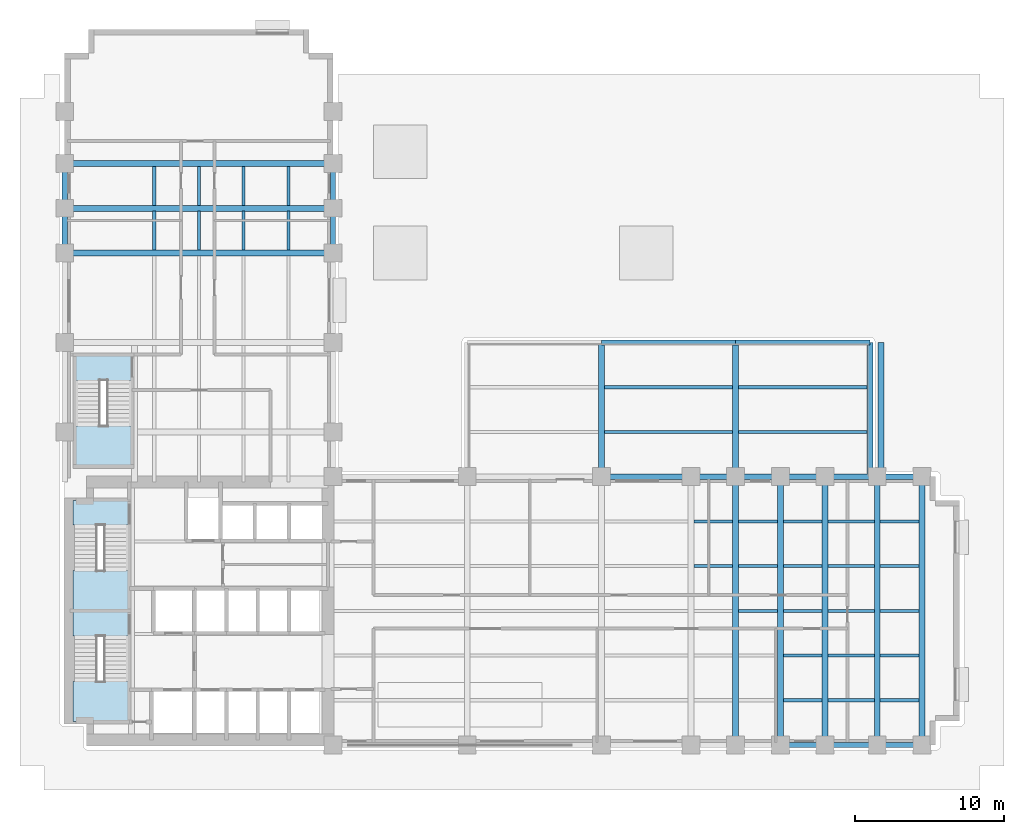
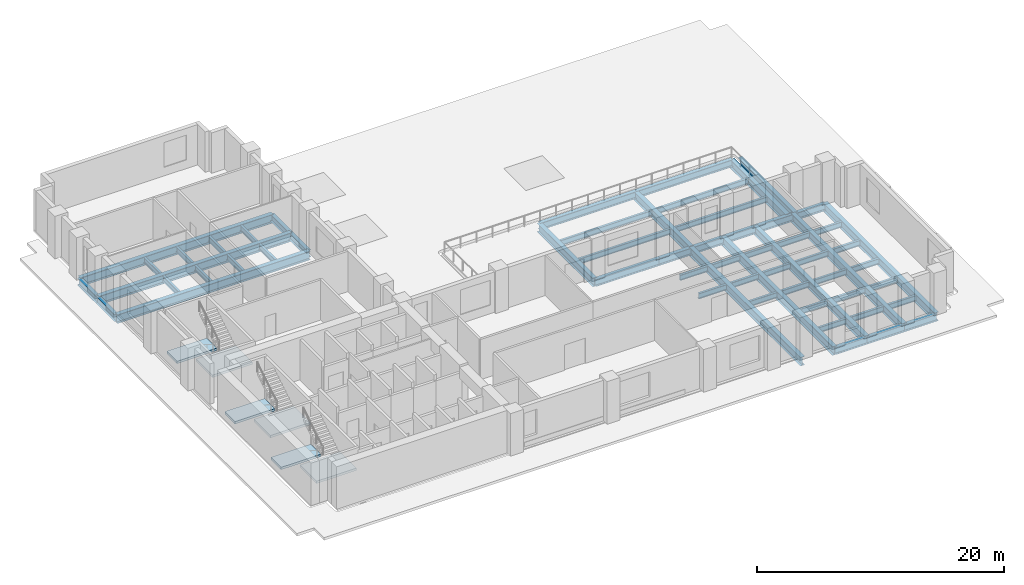
# One storey, part 2 of 9: 59 beams, 6 slabs, 3 elements without a shape of their own.
"""IFC4 building model written with IfcOpenShell, lengths in metres."""

import ifcopenshell
import ifcopenshell.guid

model = None  # the IFC model being written
_history = None  # IfcOwnerHistory: only IFC2X3 demands one
_inside = {}  # id of a spatial element -> (the spatial element, [elements in it])
_under = {}  # id of a project, library or spatial element -> (it, [spatial elements below it])
_declared = {}  # id of a project -> (the project, [libraries it declares])
_typed = {}  # id of a type object -> (the type object, [elements of that type])
_made_of = {}  # id of a material, layer set ... -> (it, [elements and type objects made of it])


def new_model(schema):
    """Start an empty IFC model of exactly this schema.

    Asked for "IFC4X3", IfcOpenShell would pick the latest addendum, in which some entities
    have other attributes; the version numbers below select the first issue.
    IFC2X3 requires an IfcOwnerHistory on every rooted entity: one is made here for all.
    """
    global model, _history
    if schema == "IFC4X3":
        model = ifcopenshell.file(schema_version=(4, 3, 0, 0))
    else:
        model = ifcopenshell.file(schema=schema)
    _inside.clear()
    _under.clear()
    _declared.clear()
    _typed.clear()
    _made_of.clear()
    _history = None
    if model.schema == "IFC2X3":
        org = make("IfcOrganization", Name="unknown")
        user = make(
            "IfcPersonAndOrganization",
            ThePerson=make("IfcPerson", FamilyName="unknown"),
            TheOrganization=org,
        )
        app = make(
            "IfcApplication",
            ApplicationDeveloper=org,
            Version="unknown",
            ApplicationFullName="unknown",
            ApplicationIdentifier="unknown",
        )
        _history = make(
            "IfcOwnerHistory",
            OwningUser=user,
            OwningApplication=app,
            ChangeAction="ADDED",
            CreationDate=0,
        )
    return model


def make(cls, **values):
    """One entity of the class cls with the attributes given. An attribute that is None is left unset."""
    return model.create_entity(
        cls, **{name: value for name, value in values.items() if value is not None}
    )


def rooted(cls, **values):
    """An entity with a GlobalId (a new one), such as an element, a storey or a relation."""
    return make(cls, GlobalId=ifcopenshell.guid.new(), OwnerHistory=_history, **values)


def si_unit(unit_type, name, prefix=None):
    """IfcSIUnit, for example si_unit("LENGTHUNIT", "METRE", prefix="MILLI")."""
    return make("IfcSIUnit", UnitType=unit_type, Prefix=prefix, Name=name)


def assignment(units):
    """IfcUnitAssignment: the units of a project."""
    return None if units is None else make("IfcUnitAssignment", Units=units)


def point(xyz):
    """IfcCartesianPoint."""
    return None if xyz is None else make("IfcCartesianPoint", Coordinates=xyz)


def direction(xyz):
    """IfcDirection."""
    return None if xyz is None else make("IfcDirection", DirectionRatios=xyz)


def frame(location, z_axis=None, x_axis=None):
    """IfcAxis2Placement3D, a coordinate frame: its origin and axes. An axis left out is left unset."""
    return make(
        "IfcAxis2Placement3D",
        Location=point(location),
        Axis=direction(z_axis),
        RefDirection=direction(x_axis),
    )


def frame_2d(location, x_axis=None):
    """IfcAxis2Placement2D, a coordinate frame in the plane: its origin and x axis."""
    return make(
        "IfcAxis2Placement2D", Location=point(location), RefDirection=direction(x_axis)
    )


def origin():
    """The frame at (0, 0, 0) with its axes left unset."""
    return frame((0.0, 0.0, 0.0))


def origin_2d():
    """The frame at (0, 0) in the plane with its x axis left unset."""
    return frame_2d((0.0, 0.0))


def place(relative_to, where):
    """IfcLocalPlacement: puts the frame where relative to a parent placement (None: the world)."""
    return make(
        "IfcLocalPlacement", PlacementRelTo=relative_to, RelativePlacement=where
    )


def context(
    kind, dimensions, precision=None, world=None, true_north=None, identifier=None
):
    """IfcGeometricRepresentationContext, for example the 3D "Model" context."""
    return make(
        "IfcGeometricRepresentationContext",
        ContextIdentifier=identifier,
        ContextType=kind,
        CoordinateSpaceDimension=dimensions,
        Precision=precision,
        WorldCoordinateSystem=world,
        TrueNorth=true_north,
    )


def subcontext(parent, identifier, kind, view, scale=None):
    """IfcGeometricRepresentationSubContext, for example "Body" below "Model"."""
    return make(
        "IfcGeometricRepresentationSubContext",
        ContextIdentifier=identifier,
        ContextType=kind,
        ParentContext=parent,
        TargetScale=scale,
        TargetView=view,
    )


def project(units=None, contexts=None):
    """IfcProject with its units and contexts."""
    return rooted(
        "IfcProject",
        Name="project",
        RepresentationContexts=contexts,
        UnitsInContext=assignment(units),
    )


def spatial(cls, under=None, at=None, **own):
    """A site, building, storey or space (cls), placed at a placement, below another one or the project."""
    s = rooted(cls, ObjectPlacement=at, **own)
    if under is not None:
        _under.setdefault(under.id(), (under, []))[1].append(s)
    return s


def polyline(points):
    """IfcPolyline through the points."""
    return make("IfcPolyline", Points=[point(p) for p in points])


def profile(cls, at=None, kind="AREA", **sizes):
    """A parametric profile (cls). Its sizes go by their IFC names, for example OverallWidth=200.0."""
    return make(cls, ProfileType=kind, Position=at, **sizes)


def i_section(**sizes):
    """IfcIShapeProfileDef."""
    return profile("IfcIShapeProfileDef", **sizes)


def outline(outer, holes=None, kind="AREA"):
    """IfcArbitraryClosedProfileDef: a profile drawn as a closed curve; with holes, ...WithVoids."""
    if holes is None:
        return make("IfcArbitraryClosedProfileDef", ProfileType=kind, OuterCurve=outer)
    return make(
        "IfcArbitraryProfileDefWithVoids",
        ProfileType=kind,
        OuterCurve=outer,
        InnerCurves=holes,
    )


def extrude(swept, where, along, depth):
    """IfcExtrudedAreaSolid: the profile swept, set in the frame where, extruded along a direction by depth."""
    return make(
        "IfcExtrudedAreaSolid",
        SweptArea=swept,
        Position=where,
        ExtrudedDirection=direction(along),
        Depth=depth,
    )


def shape(context_of_items, identifier, shape_type, items):
    """IfcShapeRepresentation: the items that make up one representation, for example the "Body"."""
    return make(
        "IfcShapeRepresentation",
        ContextOfItems=context_of_items,
        RepresentationIdentifier=identifier,
        RepresentationType=shape_type,
        Items=items,
    )


def material(Name=None, Category=None):
    """IfcMaterial."""
    return make("IfcMaterial", Name=Name, Category=Category)


def layer(
    of_material, thickness, ventilated=None, Name=None, Category=None, Priority=None
):
    """IfcMaterialLayer: one layer of a wall or slab, of a material (None: an air gap)."""
    return make(
        "IfcMaterialLayer",
        Material=of_material,
        LayerThickness=thickness,
        IsVentilated=ventilated,
        Name=Name,
        Category=Category,
        Priority=Priority,
    )


def layer_set(layers, Name=None):
    """IfcMaterialLayerSet."""
    return make("IfcMaterialLayerSet", MaterialLayers=layers, LayerSetName=Name)


def material_profile(
    of_material, cross_section, Name=None, Category=None, Priority=None
):
    """IfcMaterialProfile: a cross section and its material."""
    return make(
        "IfcMaterialProfile",
        Name=Name,
        Material=of_material,
        Profile=cross_section,
        Priority=Priority,
        Category=Category,
    )


def profile_set(profiles, Name=None, composite=None):
    """IfcMaterialProfileSet."""
    return make(
        "IfcMaterialProfileSet",
        Name=Name,
        MaterialProfiles=profiles,
        CompositeProfile=composite,
    )


def made_of(thing, what):
    """Note that an element or type object is made of a material, layer set ...; save() writes the relation."""
    if what is not None:
        _made_of.setdefault(what.id(), (what, []))[1].append(thing)
    return thing


def type_object(cls, material=None, **own):
    """A type object (cls), such as IfcWallType, which elements share."""
    return made_of(rooted(cls, **own), material)


def element(
    cls,
    number,
    at=None,
    inside=None,
    cuts=None,
    type_object=None,
    material=None,
    context=None,
    identifier="Body",
    shape_type=None,
    held_by="IfcProductDefinitionShape",
    body=None,
    shapes=None,
    **own,
):
    """One element of the class cls, such as IfcWall. Its Tag is "e" and its number.

    at: its placement. inside: the storey or other place that contains it. cuts: it is an
    opening in that element (IfcRelVoidsElement). A single representation is given by context,
    identifier, shape_type and body (its items); several are given by shapes. held_by: the class
    of the entity that holds the representations. save() writes the other relations.
    """
    e = rooted(cls, Tag="e%d" % number, ObjectPlacement=at, **own)
    if body is not None:
        shapes = [shape(context, identifier, shape_type, body)]
    if shapes is not None:
        e.Representation = make(held_by, Representations=shapes)
    if inside is not None:
        _inside.setdefault(inside.id(), (inside, []))[1].append(e)
    if cuts is not None:
        rooted(
            "IfcRelVoidsElement", RelatingBuildingElement=cuts, RelatedOpeningElement=e
        )
    if type_object is not None:
        _typed.setdefault(type_object.id(), (type_object, []))[1].append(e)
    return made_of(e, material)


def aggregate(whole, parts):
    """IfcRelAggregates: a whole, such as a stair, and the parts it consists of."""
    return rooted("IfcRelAggregates", RelatingObject=whole, RelatedObjects=parts)


def save(model, path):
    """Write the relations noted so far, then the file.

    IfcRelAggregates (storeys below a building ...), IfcRelContainedInSpatialStructure (elements
    in a storey), IfcRelDefinesByType, IfcRelAssociatesMaterial and IfcRelDeclares: one each for
    every whole, place, type object, material and project.
    """
    for whole, parts in _under.values():
        aggregate(whole, parts)
    for where, things in _inside.values():
        rooted(
            "IfcRelContainedInSpatialStructure",
            RelatedElements=things,
            RelatingStructure=where,
        )
    for kind, things in _typed.values():
        rooted("IfcRelDefinesByType", RelatedObjects=things, RelatingType=kind)
    for what, things in _made_of.values():
        rooted("IfcRelAssociatesMaterial", RelatedObjects=things, RelatingMaterial=what)
    for by, libraries in _declared.values():
        rooted("IfcRelDeclares", RelatingContext=by, RelatedDefinitions=libraries)
    model.write(path)


model = new_model("IFC4")

# Units and contexts
model_context = context("Model", 3, precision=1e-05, world=origin(), true_north=direction((0.0, 1.0)))
body_context = subcontext(model_context, "Body", "Model", "MODEL_VIEW")
ifc_project = project(units=[si_unit("LENGTHUNIT", "METRE"), si_unit("AREAUNIT", "SQUARE_METRE"), si_unit("VOLUMEUNIT", "CUBIC_METRE"), si_unit("PLANEANGLEUNIT", "RADIAN"), si_unit("MASSUNIT", "GRAM", prefix="KILO")], contexts=[model_context])

# Site, building, storey
site_placement = place(None, origin())
site = spatial("IfcSite", under=ifc_project, at=site_placement, CompositionType="ELEMENT")
building_placement = place(site_placement, origin())
building = spatial("IfcBuilding", under=site, at=building_placement, Name="Mawjdan Bourse Tower", CompositionType="ELEMENT")
storey_placement = place(building_placement, frame((0.0, 0.0, 21.60009765625)))
storey = spatial("IfcBuildingStorey", under=building, at=storey_placement, Name="L04", CompositionType="ELEMENT", Elevation=21.60009765625)

# Beams
ifc_material_1 = material(Name="Structural Steel S355", Category="steel")
ifc_material_profile_1 = material_profile(ifc_material_1, i_section(OverallWidth=0.39892578125, OverallDepth=0.85595703125, WebThickness=0.018310546875, FlangeThickness=0.029296875, FilletRadius=0.0234375, at=origin_2d()), Name="W33X201")
ifc_profile_set_1 = profile_set([ifc_material_profile_1], Name="Structural Steel S355")
beam_type_1 = type_object("IfcBeamType", Name="GRD-W33X201", PredefinedType="BEAM", material=ifc_profile_set_1)
for number, where, z_axis, x_axis, name in (
    (1, (51.0, 3.0, -0.648193359375), (0.0, 1.0, 0.0), (-1.0, 0.0, 0.0), "L04 East Wing Clear-Span Girder 005"),
    (2, (54.0, 3.0, -0.648193359375), (0.0, 1.0, 0.0), (-1.0, 0.0, 0.0), "L04 East Wing Clear-Span Girder 006"),
    (3, (57.0, 3.0, -0.648193359375), (0.0, 1.0, 0.0), (-1.0, 0.0, 0.0), "L04 East Wing Clear-Span Girder 007"),
    (4, (60.5, 3.0, -0.648193359375), (0.0, 1.0, 0.0), (-1.0, 0.0, 0.0), "L04 East Wing Clear-Span Girder 008"),
    (5, (63.5, 3.0, -0.648193359375), (0.0, 1.0, 0.0), (-1.0, 0.0, 0.0), "L04 East Wing Clear-Span Girder 009"),
    (6, (6.0, 36.0, -0.648193359375), (1.0, 0.0, 0.0), (0.0, 1.0, 0.0), "L04 North Wing Clear-Span Girder 073"),
    (7, (6.0, 39.0, -0.648193359375), (1.0, 0.0, 0.0), (0.0, 1.0, 0.0), "L04 North Wing Clear-Span Girder 074"),
    (8, (6.0, 42.0, -0.648193359375), (1.0, 0.0, 0.0), (0.0, 1.0, 0.0), "L04 North Wing Clear-Span Girder 075"),
):
    element("IfcBeam", number, at=place(storey_placement, frame(where, z_axis=z_axis, x_axis=x_axis)), inside=storey, type_object=beam_type_1, Name=name, PredefinedType="BEAM", context=body_context, shape_type="SweptSolid", body=[
        extrude(i_section(OverallWidth=0.39892578125, OverallDepth=0.85595703125, WebThickness=0.018310546875, FlangeThickness=0.029296875, FilletRadius=0.0234375, at=origin_2d()), origin(), (0.0, 0.0, 1.0), 18.0),
    ])
for number, where, z_axis, x_axis, name in (
    (9, (42.0, 21.0, -0.59814453125), (0.0, 1.0, 0.0), (-1.0, 0.0, 0.0), "L04 L04 Terrace Transverse Girder 110"),
    (10, (51.0, 21.0, -0.59814453125), (0.0, 1.0, 0.0), (-1.0, 0.0, 0.0), "L04 L04 Terrace Transverse Girder 111"),
    (11, (60.0, 21.0, -0.59814453125), (0.0, 1.0, 0.0), (-1.0, 0.0, 0.0), "L04 L04 Terrace Transverse Girder 112"),
    (12, (60.75, 21.0, -0.68798828125), (0.0, 1.0, 0.0), (-1.0, 0.0, 0.0), "L04 L04 Setback Roof Girder 113"),
):
    element("IfcBeam", number, at=place(storey_placement, frame(where, z_axis=z_axis, x_axis=x_axis)), inside=storey, type_object=beam_type_1, Name=name, PredefinedType="BEAM", context=body_context, shape_type="SweptSolid", body=[
        extrude(i_section(OverallWidth=0.39892578125, OverallDepth=0.85595703125, WebThickness=0.018310546875, FlangeThickness=0.029296875, FilletRadius=0.0234375, at=origin_2d()), origin(), (0.0, 0.0, 1.0), 9.0),
    ])
ifc_material_profile_2 = material_profile(ifc_material_1, i_section(OverallWidth=0.2119140625, OverallDepth=0.5439453125, WebThickness=0.01318359375, FlangeThickness=0.021240234375, FilletRadius=0.01708984375, at=origin_2d()), Name="W21X83")
ifc_profile_set_2 = profile_set([ifc_material_profile_2], Name="Structural Steel S355")
beam_type_2 = type_object("IfcBeamType", Name="JST-W21X83", PredefinedType="JOIST", material=ifc_profile_set_2)
beam_1_placement = place(storey_placement, frame((54.197509765625, 6.0, -0.4921875), z_axis=(1.0, 0.0, 0.0), x_axis=(0.0, 1.0, 0.0)))
element("IfcBeam", 13, at=beam_1_placement, inside=storey, type_object=beam_type_2, Name="L04 East Wing Composite Joist 031", PredefinedType="JOIST", context=body_context, shape_type="SweptSolid", body=[
    extrude(i_section(OverallWidth=0.2119140625, OverallDepth=0.5439453125, WebThickness=0.01318359375, FlangeThickness=0.021240234375, FilletRadius=0.01708984375, at=origin_2d()), origin(), (0.0, 0.0, 1.0), 2.60498046875),
])
beam_2_placement = place(storey_placement, frame((57.197509765625, 6.0, -0.4921875), z_axis=(1.0, 0.0, 0.0), x_axis=(0.0, 1.0, 0.0)))
element("IfcBeam", 14, at=beam_2_placement, inside=storey, type_object=beam_type_2, Name="L04 East Wing Composite Joist 032", PredefinedType="JOIST", context=body_context, shape_type="SweptSolid", body=[
    extrude(i_section(OverallWidth=0.2119140625, OverallDepth=0.5439453125, WebThickness=0.01318359375, FlangeThickness=0.021240234375, FilletRadius=0.01708984375, at=origin_2d()), origin(), (0.0, 0.0, 1.0), 3.10498046875),
])
for number, where, z_axis, x_axis, name in (
    (15, (60.697509765625, 6.0, -0.4921875), (1.0, 0.0, 0.0), (0.0, 1.0, 0.0), "L04 East Wing Composite Joist 033"),
    (16, (54.197509765625, 9.0, -0.4921875), (1.0, 0.0, 0.0), (0.0, 1.0, 0.0), "L04 East Wing Composite Joist 039"),
):
    element("IfcBeam", number, at=place(storey_placement, frame(where, z_axis=z_axis, x_axis=x_axis)), inside=storey, type_object=beam_type_2, Name=name, PredefinedType="JOIST", context=body_context, shape_type="SweptSolid", body=[
        extrude(i_section(OverallWidth=0.2119140625, OverallDepth=0.5439453125, WebThickness=0.01318359375, FlangeThickness=0.021240234375, FilletRadius=0.01708984375, at=origin_2d()), origin(), (0.0, 0.0, 1.0), 2.60498046875),
    ])
beam_3_placement = place(storey_placement, frame((57.197509765625, 9.0, -0.4921875), z_axis=(1.0, 0.0, 0.0), x_axis=(0.0, 1.0, 0.0)))
element("IfcBeam", 17, at=beam_3_placement, inside=storey, type_object=beam_type_2, Name="L04 East Wing Composite Joist 040", PredefinedType="JOIST", context=body_context, shape_type="SweptSolid", body=[
    extrude(i_section(OverallWidth=0.2119140625, OverallDepth=0.5439453125, WebThickness=0.01318359375, FlangeThickness=0.021240234375, FilletRadius=0.01708984375, at=origin_2d()), origin(), (0.0, 0.0, 1.0), 3.10498046875),
])
for number, where, z_axis, x_axis, name in (
    (18, (60.697509765625, 9.0, -0.4921875), (1.0, 0.0, 0.0), (0.0, 1.0, 0.0), "L04 East Wing Composite Joist 041"),
    (19, (51.197509765625, 12.0, -0.4921875), (1.0, 0.0, 0.0), (0.0, 1.0, 0.0), "L04 East Wing Composite Joist 046"),
    (20, (54.197509765625, 12.0, -0.4921875), (1.0, 0.0, 0.0), (0.0, 1.0, 0.0), "L04 East Wing Composite Joist 047"),
):
    element("IfcBeam", number, at=place(storey_placement, frame(where, z_axis=z_axis, x_axis=x_axis)), inside=storey, type_object=beam_type_2, Name=name, PredefinedType="JOIST", context=body_context, shape_type="SweptSolid", body=[
        extrude(i_section(OverallWidth=0.2119140625, OverallDepth=0.5439453125, WebThickness=0.01318359375, FlangeThickness=0.021240234375, FilletRadius=0.01708984375, at=origin_2d()), origin(), (0.0, 0.0, 1.0), 2.60498046875),
    ])
beam_4_placement = place(storey_placement, frame((57.197509765625, 12.0, -0.4921875), z_axis=(1.0, 0.0, 0.0), x_axis=(0.0, 1.0, 0.0)))
element("IfcBeam", 21, at=beam_4_placement, inside=storey, type_object=beam_type_2, Name="L04 East Wing Composite Joist 048", PredefinedType="JOIST", context=body_context, shape_type="SweptSolid", body=[
    extrude(i_section(OverallWidth=0.2119140625, OverallDepth=0.5439453125, WebThickness=0.01318359375, FlangeThickness=0.021240234375, FilletRadius=0.01708984375, at=origin_2d()), origin(), (0.0, 0.0, 1.0), 3.10498046875),
])
for number, where, z_axis, x_axis, name in (
    (22, (60.697509765625, 12.0, -0.4921875), (1.0, 0.0, 0.0), (0.0, 1.0, 0.0), "L04 East Wing Composite Joist 049"),
    (23, (48.197509765625, 15.0, -0.4921875), (1.0, 0.0, 0.0), (0.0, 1.0, 0.0), "L04 East Wing Composite Joist 053"),
    (24, (51.197509765625, 15.0, -0.4921875), (1.0, 0.0, 0.0), (0.0, 1.0, 0.0), "L04 East Wing Composite Joist 054"),
    (25, (54.197509765625, 15.0, -0.4921875), (1.0, 0.0, 0.0), (0.0, 1.0, 0.0), "L04 East Wing Composite Joist 055"),
):
    element("IfcBeam", number, at=place(storey_placement, frame(where, z_axis=z_axis, x_axis=x_axis)), inside=storey, type_object=beam_type_2, Name=name, PredefinedType="JOIST", context=body_context, shape_type="SweptSolid", body=[
        extrude(i_section(OverallWidth=0.2119140625, OverallDepth=0.5439453125, WebThickness=0.01318359375, FlangeThickness=0.021240234375, FilletRadius=0.01708984375, at=origin_2d()), origin(), (0.0, 0.0, 1.0), 2.60498046875),
    ])
beam_5_placement = place(storey_placement, frame((57.197509765625, 15.0, -0.4921875), z_axis=(1.0, 0.0, 0.0), x_axis=(0.0, 1.0, 0.0)))
element("IfcBeam", 26, at=beam_5_placement, inside=storey, type_object=beam_type_2, Name="L04 East Wing Composite Joist 056", PredefinedType="JOIST", context=body_context, shape_type="SweptSolid", body=[
    extrude(i_section(OverallWidth=0.2119140625, OverallDepth=0.5439453125, WebThickness=0.01318359375, FlangeThickness=0.021240234375, FilletRadius=0.01708984375, at=origin_2d()), origin(), (0.0, 0.0, 1.0), 3.10498046875),
])
for number, where, z_axis, x_axis, name in (
    (27, (60.697509765625, 15.0, -0.4921875), (1.0, 0.0, 0.0), (0.0, 1.0, 0.0), "L04 East Wing Composite Joist 057"),
    (28, (48.197509765625, 18.0, -0.4921875), (1.0, 0.0, 0.0), (0.0, 1.0, 0.0), "L04 East Wing Composite Joist 061"),
    (29, (51.197509765625, 18.0, -0.4921875), (1.0, 0.0, 0.0), (0.0, 1.0, 0.0), "L04 East Wing Composite Joist 062"),
    (30, (54.197509765625, 18.0, -0.4921875), (1.0, 0.0, 0.0), (0.0, 1.0, 0.0), "L04 East Wing Composite Joist 063"),
):
    element("IfcBeam", number, at=place(storey_placement, frame(where, z_axis=z_axis, x_axis=x_axis)), inside=storey, type_object=beam_type_2, Name=name, PredefinedType="JOIST", context=body_context, shape_type="SweptSolid", body=[
        extrude(i_section(OverallWidth=0.2119140625, OverallDepth=0.5439453125, WebThickness=0.01318359375, FlangeThickness=0.021240234375, FilletRadius=0.01708984375, at=origin_2d()), origin(), (0.0, 0.0, 1.0), 2.60498046875),
    ])
beam_6_placement = place(storey_placement, frame((57.197509765625, 18.0, -0.4921875), z_axis=(1.0, 0.0, 0.0), x_axis=(0.0, 1.0, 0.0)))
element("IfcBeam", 31, at=beam_6_placement, inside=storey, type_object=beam_type_2, Name="L04 East Wing Composite Joist 064", PredefinedType="JOIST", context=body_context, shape_type="SweptSolid", body=[
    extrude(i_section(OverallWidth=0.2119140625, OverallDepth=0.5439453125, WebThickness=0.01318359375, FlangeThickness=0.021240234375, FilletRadius=0.01708984375, at=origin_2d()), origin(), (0.0, 0.0, 1.0), 3.10498046875),
])
for number, where, z_axis, x_axis, name in (
    (32, (60.697509765625, 18.0, -0.4921875), (1.0, 0.0, 0.0), (0.0, 1.0, 0.0), "L04 East Wing Composite Joist 065"),
    (33, (12.0, 36.197509765625, -0.4921875), (0.0, 1.0, 0.0), (-1.0, 0.0, 0.0), "L04 North Wing Composite Joist 089"),
    (34, (12.0, 39.197509765625, -0.4921875), (0.0, 1.0, 0.0), (-1.0, 0.0, 0.0), "L04 North Wing Composite Joist 090"),
    (35, (15.0, 36.197509765625, -0.4921875), (0.0, 1.0, 0.0), (-1.0, 0.0, 0.0), "L04 North Wing Composite Joist 094"),
    (36, (15.0, 39.197509765625, -0.4921875), (0.0, 1.0, 0.0), (-1.0, 0.0, 0.0), "L04 North Wing Composite Joist 095"),
    (37, (18.0, 36.197509765625, -0.4921875), (0.0, 1.0, 0.0), (-1.0, 0.0, 0.0), "L04 North Wing Composite Joist 099"),
    (38, (18.0, 39.197509765625, -0.4921875), (0.0, 1.0, 0.0), (-1.0, 0.0, 0.0), "L04 North Wing Composite Joist 100"),
    (39, (21.0, 36.197509765625, -0.4921875), (0.0, 1.0, 0.0), (-1.0, 0.0, 0.0), "L04 North Wing Composite Joist 104"),
    (40, (21.0, 39.197509765625, -0.4921875), (0.0, 1.0, 0.0), (-1.0, 0.0, 0.0), "L04 North Wing Composite Joist 105"),
):
    element("IfcBeam", number, at=place(storey_placement, frame(where, z_axis=z_axis, x_axis=x_axis)), inside=storey, type_object=beam_type_2, Name=name, PredefinedType="JOIST", context=body_context, shape_type="SweptSolid", body=[
        extrude(i_section(OverallWidth=0.2119140625, OverallDepth=0.5439453125, WebThickness=0.01318359375, FlangeThickness=0.021240234375, FilletRadius=0.01708984375, at=origin_2d()), origin(), (0.0, 0.0, 1.0), 2.60498046875),
    ])
for number, where, z_axis, x_axis, name in (
    (41, (42.197509765625, 24.0, -0.442138671875), (1.0, 0.0, 0.0), (0.0, 1.0, 0.0), "L04 L04 Terrace Deck Joist 115"),
    (42, (51.197509765625, 24.0, -0.442138671875), (1.0, 0.0, 0.0), (0.0, 1.0, 0.0), "L04 L04 Terrace Deck Joist 116"),
    (43, (42.197509765625, 27.0, -0.442138671875), (1.0, 0.0, 0.0), (0.0, 1.0, 0.0), "L04 L04 Terrace Deck Joist 118"),
    (44, (51.197509765625, 27.0, -0.442138671875), (1.0, 0.0, 0.0), (0.0, 1.0, 0.0), "L04 L04 Terrace Deck Joist 119"),
):
    element("IfcBeam", number, at=place(storey_placement, frame(where, z_axis=z_axis, x_axis=x_axis)), inside=storey, type_object=beam_type_2, Name=name, PredefinedType="JOIST", context=body_context, shape_type="SweptSolid", body=[
        extrude(i_section(OverallWidth=0.2119140625, OverallDepth=0.5439453125, WebThickness=0.01318359375, FlangeThickness=0.021240234375, FilletRadius=0.01708984375, at=origin_2d()), origin(), (0.0, 0.0, 1.0), 8.60498046875),
    ])
ifc_material_profile_3 = material_profile(ifc_material_1, i_section(OverallWidth=0.35498046875, OverallDepth=0.696044921875, WebThickness=0.015380859375, FlangeThickness=0.02490234375, FilletRadius=0.019775390625, at=origin_2d()), Name="W27X146")
ifc_profile_set_3 = profile_set([ifc_material_profile_3], Name="Structural Steel S355")
beam_type_3 = type_object("IfcBeamType", Name="SPN-W27X146", PredefinedType="SPANDREL", material=ifc_profile_set_3)
beam_7_placement = place(storey_placement, frame((54.0, 3.0, -0.608154296875), z_axis=(1.0, 0.0, 0.0), x_axis=(0.0, 1.0, 0.0)))
element("IfcBeam", 45, at=beam_7_placement, inside=storey, type_object=beam_type_3, Name="L04 Perimeter Masonry-Shelf Spandrel 015", PredefinedType="SPANDREL", context=body_context, shape_type="SweptSolid", body=[
    extrude(i_section(OverallWidth=0.35498046875, OverallDepth=0.696044921875, WebThickness=0.015380859375, FlangeThickness=0.02490234375, FilletRadius=0.019775390625, at=origin_2d()), origin(), (0.0, 0.0, 1.0), 3.0),
])
beam_8_placement = place(storey_placement, frame((57.0, 3.0, -0.608154296875), z_axis=(1.0, 0.0, 0.0), x_axis=(0.0, 1.0, 0.0)))
element("IfcBeam", 46, at=beam_8_placement, inside=storey, type_object=beam_type_3, Name="L04 Perimeter Masonry-Shelf Spandrel 016", PredefinedType="SPANDREL", context=body_context, shape_type="SweptSolid", body=[
    extrude(i_section(OverallWidth=0.35498046875, OverallDepth=0.696044921875, WebThickness=0.015380859375, FlangeThickness=0.02490234375, FilletRadius=0.019775390625, at=origin_2d()), origin(), (0.0, 0.0, 1.0), 3.5),
])
beam_9_placement = place(storey_placement, frame((60.5, 3.0, -0.608154296875), z_axis=(1.0, 0.0, 0.0), x_axis=(0.0, 1.0, 0.0)))
element("IfcBeam", 47, at=beam_9_placement, inside=storey, type_object=beam_type_3, Name="L04 Perimeter Masonry-Shelf Spandrel 017", PredefinedType="SPANDREL", context=body_context, shape_type="SweptSolid", body=[
    extrude(i_section(OverallWidth=0.35498046875, OverallDepth=0.696044921875, WebThickness=0.015380859375, FlangeThickness=0.02490234375, FilletRadius=0.019775390625, at=origin_2d()), origin(), (0.0, 0.0, 1.0), 3.0),
])
beam_10_placement = place(storey_placement, frame((42.0, 21.0, -0.608154296875), z_axis=(1.0, 0.0, 0.0), x_axis=(0.0, 1.0, 0.0)))
element("IfcBeam", 48, at=beam_10_placement, inside=storey, type_object=beam_type_3, Name="L04 Perimeter Masonry-Shelf Spandrel 020", PredefinedType="SPANDREL", context=body_context, shape_type="SweptSolid", body=[
    extrude(i_section(OverallWidth=0.35498046875, OverallDepth=0.696044921875, WebThickness=0.015380859375, FlangeThickness=0.02490234375, FilletRadius=0.019775390625, at=origin_2d()), origin(), (0.0, 0.0, 1.0), 6.0),
])
for number, where, z_axis, x_axis, name in (
    (49, (48.0, 21.0, -0.608154296875), (1.0, 0.0, 0.0), (0.0, 1.0, 0.0), "L04 Perimeter Masonry-Shelf Spandrel 021"),
    (50, (51.0, 21.0, -0.608154296875), (1.0, 0.0, 0.0), (0.0, 1.0, 0.0), "L04 Perimeter Masonry-Shelf Spandrel 022"),
    (51, (54.0, 21.0, -0.608154296875), (1.0, 0.0, 0.0), (0.0, 1.0, 0.0), "L04 Perimeter Masonry-Shelf Spandrel 023"),
):
    element("IfcBeam", number, at=place(storey_placement, frame(where, z_axis=z_axis, x_axis=x_axis)), inside=storey, type_object=beam_type_3, Name=name, PredefinedType="SPANDREL", context=body_context, shape_type="SweptSolid", body=[
        extrude(i_section(OverallWidth=0.35498046875, OverallDepth=0.696044921875, WebThickness=0.015380859375, FlangeThickness=0.02490234375, FilletRadius=0.019775390625, at=origin_2d()), origin(), (0.0, 0.0, 1.0), 3.0),
    ])
beam_11_placement = place(storey_placement, frame((57.0, 21.0, -0.608154296875), z_axis=(1.0, 0.0, 0.0), x_axis=(0.0, 1.0, 0.0)))
element("IfcBeam", 52, at=beam_11_placement, inside=storey, type_object=beam_type_3, Name="L04 Perimeter Masonry-Shelf Spandrel 024", PredefinedType="SPANDREL", context=body_context, shape_type="SweptSolid", body=[
    extrude(i_section(OverallWidth=0.35498046875, OverallDepth=0.696044921875, WebThickness=0.015380859375, FlangeThickness=0.02490234375, FilletRadius=0.019775390625, at=origin_2d()), origin(), (0.0, 0.0, 1.0), 3.5),
])
for number, where, z_axis, x_axis, name in (
    (53, (60.5, 21.0, -0.608154296875), (1.0, 0.0, 0.0), (0.0, 1.0, 0.0), "L04 Perimeter Masonry-Shelf Spandrel 025"),
    (54, (6.0, 36.0, -0.608154296875), (0.0, 1.0, 0.0), (-1.0, 0.0, 0.0), "L04 North Wing Spandrel 079"),
    (55, (6.0, 39.0, -0.608154296875), (0.0, 1.0, 0.0), (-1.0, 0.0, 0.0), "L04 North Wing Spandrel 080"),
    (56, (24.0, 36.0, -0.608154296875), (0.0, 1.0, 0.0), (-1.0, 0.0, 0.0), "L04 North Wing Spandrel 084"),
    (57, (24.0, 39.0, -0.608154296875), (0.0, 1.0, 0.0), (-1.0, 0.0, 0.0), "L04 North Wing Spandrel 085"),
):
    element("IfcBeam", number, at=place(storey_placement, frame(where, z_axis=z_axis, x_axis=x_axis)), inside=storey, type_object=beam_type_3, Name=name, PredefinedType="SPANDREL", context=body_context, shape_type="SweptSolid", body=[
        extrude(i_section(OverallWidth=0.35498046875, OverallDepth=0.696044921875, WebThickness=0.015380859375, FlangeThickness=0.02490234375, FilletRadius=0.019775390625, at=origin_2d()), origin(), (0.0, 0.0, 1.0), 3.0),
    ])
for number, where, z_axis, x_axis, name in (
    (58, (42.0, 30.0, -0.51806640625), (1.0, 0.0, 0.0), (0.0, 1.0, 0.0), "L04 L04 Terrace North Edge Beam 107"),
    (59, (51.0, 30.0, -0.51806640625), (1.0, 0.0, 0.0), (0.0, 1.0, 0.0), "L04 L04 Terrace North Edge Beam 108"),
):
    element("IfcBeam", number, at=place(storey_placement, frame(where, z_axis=z_axis, x_axis=x_axis)), inside=storey, type_object=beam_type_3, Name=name, PredefinedType="SPANDREL", context=body_context, shape_type="SweptSolid", body=[
        extrude(i_section(OverallWidth=0.35498046875, OverallDepth=0.696044921875, WebThickness=0.015380859375, FlangeThickness=0.02490234375, FilletRadius=0.019775390625, at=origin_2d()), origin(), (0.0, 0.0, 1.0), 9.0),
    ])

# Stair, slabs
ifc_material_2 = material(Name="Concrete C50/60", Category="concrete")
stair_type = type_object("IfcStairType", Name="STR-CORE-1500", PredefinedType="HALF_TURN_STAIR", material=ifc_material_2)
stair_1_placement = place(storey_placement, origin())
stair_1 = element("IfcStair", 60, at=stair_1_placement, inside=storey, type_object=stair_type, Name="L04 Exit Stair 1 (Core South-West)", PredefinedType="HALF_TURN_STAIR")
ifc_layer = layer(ifc_material_2, 0.22998046875)
ifc_layer_set = layer_set([ifc_layer], Name="Concrete C50/60")
slab_type = type_object("IfcSlabType", Name="SL-LND-230", PredefinedType="LANDING", material=ifc_layer_set)
slab_1_placement = place(storey_placement, frame((0.0, 0.0, -0.22998046875)))
slab_1 = element("IfcSlab", 61, at=slab_1_placement, type_object=slab_type, Name="ST1-L04 landing 1", PredefinedType="LANDING", context=body_context, shape_type="SweptSolid", body=[
    extrude(outline(polyline([(6.5400390625, 10.31005859375), (10.260009765625, 10.31005859375), (10.260009765625, 11.969970703125), (6.5400390625, 11.969970703125), (6.5400390625, 10.31005859375)])), origin(), (0.0, 0.0, 1.0), 0.22998046875),
])
slab_2_placement = place(storey_placement, frame((0.0, 0.0, 1.869873046875)))
slab_2 = element("IfcSlab", 62, at=slab_2_placement, type_object=slab_type, Name="ST1-L04 landing 2", PredefinedType="LANDING", context=body_context, shape_type="SweptSolid", body=[
    extrude(outline(polyline([(6.5400390625, 4.590087890625), (10.260009765625, 4.590087890625), (10.260009765625, 7.2548828125), (6.5400390625, 7.2548828125), (6.5400390625, 4.590087890625)])), origin(), (0.0, 0.0, 1.0), 0.22998046875),
])
aggregate(stair_1, [slab_1, slab_2])

stair_2_placement = place(storey_placement, origin())
stair_2 = element("IfcStair", 63, at=stair_2_placement, inside=storey, type_object=stair_type, Name="L04 Exit Stair 2 (Core North-West)", PredefinedType="HALF_TURN_STAIR")
slab_3_placement = place(storey_placement, frame((0.0, 0.0, -0.22998046875)))
slab_3 = element("IfcSlab", 64, at=slab_3_placement, type_object=slab_type, Name="ST2-L04 landing 1", PredefinedType="LANDING", context=body_context, shape_type="SweptSolid", body=[
    extrude(outline(polyline([(6.5400390625, 17.75), (10.260009765625, 17.75), (10.260009765625, 19.409912109375), (6.5400390625, 19.409912109375), (6.5400390625, 17.75)])), origin(), (0.0, 0.0, 1.0), 0.22998046875),
])
slab_4_placement = place(storey_placement, frame((0.0, 0.0, 1.869873046875)))
slab_4 = element("IfcSlab", 65, at=slab_4_placement, type_object=slab_type, Name="ST2-L04 landing 2", PredefinedType="LANDING", context=body_context, shape_type="SweptSolid", body=[
    extrude(outline(polyline([(6.5400390625, 12.030029296875), (10.260009765625, 12.030029296875), (10.260009765625, 14.695068359375), (6.5400390625, 14.695068359375), (6.5400390625, 12.030029296875)])), origin(), (0.0, 0.0, 1.0), 0.22998046875),
])
aggregate(stair_2, [slab_3, slab_4])

stair_3_placement = place(storey_placement, origin())
stair_3 = element("IfcStair", 66, at=stair_3_placement, inside=storey, type_object=stair_type, Name="L04 Exit Stair 3 (North Wing)", PredefinedType="HALF_TURN_STAIR")
slab_5_placement = place(storey_placement, frame((0.0, 0.0, -0.22998046875)))
slab_5 = element("IfcSlab", 67, at=slab_5_placement, type_object=slab_type, Name="ST3-L04 landing 1", PredefinedType="LANDING", context=body_context, shape_type="SweptSolid", body=[
    extrude(outline(polyline([(6.739990234375, 27.4599609375), (10.4599609375, 27.4599609375), (10.4599609375, 29.1201171875), (6.739990234375, 29.1201171875), (6.739990234375, 27.4599609375)])), origin(), (0.0, 0.0, 1.0), 0.22998046875),
])
slab_6_placement = place(storey_placement, frame((0.0, 0.0, 1.869873046875)))
slab_6 = element("IfcSlab", 68, at=slab_6_placement, type_object=slab_type, Name="ST3-L04 landing 2", PredefinedType="LANDING", context=body_context, shape_type="SweptSolid", body=[
    extrude(outline(polyline([(6.739990234375, 21.739990234375), (10.4599609375, 21.739990234375), (10.4599609375, 24.405029296875), (6.739990234375, 24.405029296875), (6.739990234375, 21.739990234375)])), origin(), (0.0, 0.0, 1.0), 0.22998046875),
])
aggregate(stair_3, [slab_5, slab_6])

save(model, "model.ifc")
